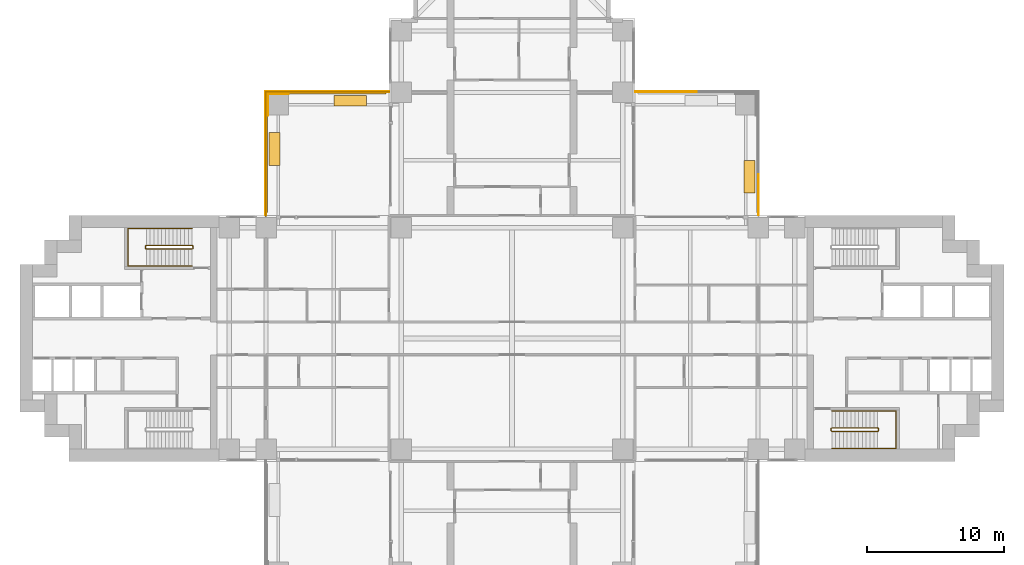
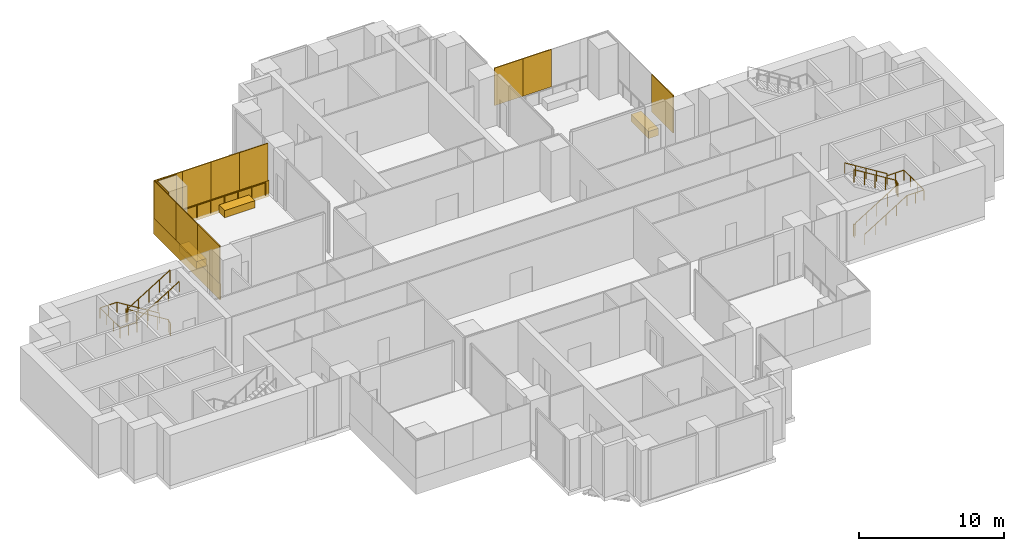
# One storey, part 14 of 15: 16 coverings, 5 railings.
"""IFC4 building model written with IfcOpenShell, lengths in metres."""

from ifc_helpers import new_model, si_unit, direction, frame, origin, origin_2d, place, context, subcontext, project, spatial, polyline, rectangle, outline, extrude, material, layer, layer_set, type_object, element, save


model = new_model("IFC4")

# Units and contexts
model_context = context("Model", 3, precision=1e-05, world=origin(), true_north=direction((0.0, 1.0)))
body_context = subcontext(model_context, "Body", "Model", "MODEL_VIEW")
ifc_project = project(units=[si_unit("LENGTHUNIT", "METRE"), si_unit("AREAUNIT", "SQUARE_METRE"), si_unit("VOLUMEUNIT", "CUBIC_METRE"), si_unit("PLANEANGLEUNIT", "RADIAN"), si_unit("MASSUNIT", "GRAM", prefix="KILO")], contexts=[model_context])

# Site, building, storey
site_placement = place(None, origin())
site = spatial("IfcSite", under=ifc_project, at=site_placement, CompositionType="ELEMENT")
building_placement = place(site_placement, origin())
building = spatial("IfcBuilding", under=site, at=building_placement, Name="Perihelion Cross Residences", CompositionType="ELEMENT")
storey_placement = place(building_placement, frame((0.0, 0.0, 32.0)))
storey = spatial("IfcBuildingStorey", under=building, at=storey_placement, Name="L04", CompositionType="ELEMENT", Elevation=32.0)

# Railing
ifc_material_1 = material(Name="Bronze anodised aluminium", Category="aluminium")
railing_type_1 = type_object("IfcRailingType", Name="Balcony guard 1100", PredefinedType="GUARDRAIL", material=ifc_material_1)
railing_1_placement = place(storey_placement, frame((-17.93994140625, 9.25, 0.0)))
element("IfcRailing", 1, at=railing_1_placement, inside=storey, type_object=railing_type_1, Name="Guard GU1 L04 pocket north-west 1", PredefinedType="GUARDRAIL", context=body_context, shape_type="SweptSolid", body=[
    extrude(rectangle(XDim=0.048095703125, YDim=0.048095703125, at=origin_2d()), frame((0.0, 0.0, 1.076171875), z_axis=(0.0, 1.0, 0.0), x_axis=(-1.0, 0.0, 0.0)), (0.0, 0.0, 1.0), 8.68994140625),
    extrude(rectangle(XDim=0.048095703125, YDim=0.048095703125, at=origin_2d()), frame((0.0, 8.68994140625, 1.076171875), z_axis=(1.0, 0.0, 0.0), x_axis=(0.0, 1.0, 0.0)), (0.0, 0.0, 1.0), 8.68994140625),
    extrude(rectangle(XDim=0.0419921875, YDim=0.0419921875, at=origin_2d()), origin(), (0.0, 0.0, 1.0), 1.052001953125),
    extrude(rectangle(XDim=0.0419921875, YDim=0.0419921875, at=origin_2d()), frame((0.0, 1.086181640625, 0.0)), (0.0, 0.0, 1.0), 1.052001953125),
    extrude(rectangle(XDim=0.0419921875, YDim=0.0419921875, at=origin_2d()), frame((0.0, 2.17236328125, 0.0)), (0.0, 0.0, 1.0), 1.052001953125),
    extrude(rectangle(XDim=0.0419921875, YDim=0.0419921875, at=origin_2d()), frame((0.0, 3.2587890625, 0.0)), (0.0, 0.0, 1.0), 1.052001953125),
    extrude(rectangle(XDim=0.0419921875, YDim=0.0419921875, at=origin_2d()), frame((0.0, 4.344970703125, 0.0)), (0.0, 0.0, 1.0), 1.052001953125),
    extrude(rectangle(XDim=0.0419921875, YDim=0.0419921875, at=origin_2d()), frame((0.0, 5.43115234375, 0.0)), (0.0, 0.0, 1.0), 1.052001953125),
    extrude(rectangle(XDim=0.0419921875, YDim=0.0419921875, at=origin_2d()), frame((0.0, 6.517578125, 0.0)), (0.0, 0.0, 1.0), 1.052001953125),
    extrude(rectangle(XDim=0.0419921875, YDim=0.0419921875, at=origin_2d()), frame((0.0, 7.603759765625, 0.0)), (0.0, 0.0, 1.0), 1.052001953125),
    extrude(rectangle(XDim=0.0419921875, YDim=0.0419921875, at=origin_2d()), frame((0.0, 8.68994140625, 0.0)), (0.0, 0.0, 1.0), 1.052001953125),
    extrude(rectangle(XDim=0.0419921875, YDim=0.0419921875, at=origin_2d()), frame((1.086181640625, 8.68994140625, 0.0)), (0.0, 0.0, 1.0), 1.052001953125),
    extrude(rectangle(XDim=0.0419921875, YDim=0.0419921875, at=origin_2d()), frame((2.17236328125, 8.68994140625, 0.0)), (0.0, 0.0, 1.0), 1.052001953125),
    extrude(rectangle(XDim=0.0419921875, YDim=0.0419921875, at=origin_2d()), frame((3.2587890625, 8.68994140625, 0.0)), (0.0, 0.0, 1.0), 1.052001953125),
    extrude(rectangle(XDim=0.0419921875, YDim=0.0419921875, at=origin_2d()), frame((4.344970703125, 8.68994140625, 0.0)), (0.0, 0.0, 1.0), 1.052001953125),
    extrude(rectangle(XDim=0.0419921875, YDim=0.0419921875, at=origin_2d()), frame((5.43115234375, 8.68994140625, 0.0)), (0.0, 0.0, 1.0), 1.052001953125),
    extrude(rectangle(XDim=0.0419921875, YDim=0.0419921875, at=origin_2d()), frame((6.517578125, 8.68994140625, 0.0)), (0.0, 0.0, 1.0), 1.052001953125),
    extrude(rectangle(XDim=0.0419921875, YDim=0.0419921875, at=origin_2d()), frame((7.603759765625, 8.68994140625, 0.0)), (0.0, 0.0, 1.0), 1.052001953125),
    extrude(rectangle(XDim=0.0419921875, YDim=0.0419921875, at=origin_2d()), frame((8.68994140625, 8.68994140625, 0.0)), (0.0, 0.0, 1.0), 1.052001953125),
])

# Coverings
ifc_material_2 = material(Name="Bronze anodised aluminium", Category="aluminium")
ifc_layer_1 = layer(ifc_material_2, 0.0400390625)
ifc_layer_set_1 = layer_set([ifc_layer_1], Name="Bronze column casing 40")
covering_type_1 = type_object("IfcCoveringType", Name="Bronze column casing 40", PredefinedType="CLADDING", material=ifc_layer_set_1)
covering_1_placement = place(storey_placement, frame((-17.8701171875, 17.10009765625, -0.2998046875), z_axis=(0.0, 0.0, 1.0), x_axis=(1.0, 0.0, 0.0)))
element("IfcCovering", 2, at=covering_1_placement, inside=storey, type_object=covering_type_1, Name="Cladding CC1 L04 casing east-west no. 2", PredefinedType="CLADDING", context=body_context, shape_type="SweptSolid", body=[
    extrude(rectangle(XDim=0.0400390625, YDim=1.580078125, at=origin_2d()), origin(), (0.0, 0.0, 1.0), 4.550048828125),
])
covering_2_placement = place(storey_placement, frame((-17.10009765625, 17.8701171875, -0.2998046875), z_axis=(0.0, 0.0, 1.0), x_axis=(1.0, 0.0, 0.0)))
element("IfcCovering", 3, at=covering_2_placement, inside=storey, type_object=covering_type_1, Name="Cladding CC1 L04 casing north-south no. 2", PredefinedType="CLADDING", context=body_context, shape_type="SweptSolid", body=[
    extrude(rectangle(XDim=1.5, YDim=0.0400390625, at=origin_2d()), origin(), (0.0, 0.0, 1.0), 4.550048828125),
])
ifc_material_3 = material(Name="Precast concrete C40/50", Category="concrete")
covering_type_2 = type_object("IfcCoveringType", Name="Planter box 2400", PredefinedType="USERDEFINED", material=ifc_material_3)
for number, where, z_axis, x_axis, name in (
    (4, (17.389892578125, 11.830078125, 0.0), (0.0, 0.0, 1.0), (0.0, -1.0, 0.0), "Planter PT1 L04 pocket north-east 2"),
    (5, (-17.389892578125, 13.85009765625, 0.0), (0.0, 0.0, 1.0), (0.0, 1.0, 0.0), "Planter PT1 L04 pocket north-west 1"),
    (6, (-11.830078125, 17.389892578125, 0.0), (0.0, 0.0, 1.0), (1.0, 0.0, 0.0), "Planter PT1 L04 pocket north-west 2"),
):
    element("IfcCovering", number, at=place(storey_placement, frame(where, z_axis=z_axis, x_axis=x_axis)), inside=storey, type_object=covering_type_2, Name=name, ObjectType="PLANTER", PredefinedType="USERDEFINED", context=body_context, shape_type="SweptSolid", body=[
        extrude(rectangle(XDim=2.39990234375, YDim=0.800048828125, at=origin_2d()), origin(), (0.0, 0.0, 1.0), 0.60009765625),
    ])
ifc_material_4 = material(Name="Bronze anodised aluminium", Category="aluminium")
ifc_layer_2 = layer(ifc_material_4, 0.070068359375)
ifc_layer_set_2 = layer_set([ifc_layer_2], Name="Pocket fascia 1350")
covering_type_3 = type_object("IfcCoveringType", Name="Pocket fascia 1350", PredefinedType="CLADDING", material=ifc_layer_set_2)
covering_3_placement = place(storey_placement, frame((0.0, 0.0, -0.25)))
element("IfcCovering", 7, at=covering_3_placement, inside=storey, type_object=covering_type_3, Name="Fascia BF2 L04 pocket north-west 1", PredefinedType="CLADDING", context=body_context, shape_type="SweptSolid", body=[
    extrude(outline(polyline([(-18.070068359375, 8.929931640625), (-18.0, 8.929931640625), (-18.0, 9.0), (-18.0, 9.0), (-18.0, 18.0), (-9.0, 18.0), (-9.0, 18.0), (-8.929931640625, 18.0), (-8.929931640625, 18.070068359375), (-18.070068359375, 18.070068359375), (-18.070068359375, 8.929931640625)])), origin(), (0.0, 0.0, 1.0), 1.35009765625),
])
ifc_material_5 = material(Name="Bronze perforated aluminium", Category="aluminium")
ifc_layer_3 = layer(ifc_material_5, 0.070068359375)
ifc_layer_set_3 = layer_set([ifc_layer_3], Name="Pocket solar screen, bronze perforated")
covering_type_4 = type_object("IfcCoveringType", Name="Pocket solar screen, bronze perforated", PredefinedType="CLADDING", material=ifc_layer_set_3)
covering_4_placement = place(storey_placement, frame((0.0, 0.0, 1.10009765625)))
element("IfcCovering", 8, at=covering_4_placement, inside=storey, type_object=covering_type_4, Name="Solar screen PS1 L04 pocket north-east no. 1", PredefinedType="CLADDING", context=body_context, shape_type="SweptSolid", body=[
    extrude(outline(polyline([(18.070068359375, 9.0), (18.070068359375, 12.0), (18.0, 12.0), (18.0, 9.0), (18.070068359375, 9.0)])), origin(), (0.0, 0.0, 1.0), 3.14990234375),
])
covering_5_placement = place(storey_placement, frame((0.0, 0.0, 1.10009765625)))
element("IfcCovering", 9, at=covering_5_placement, inside=storey, type_object=covering_type_4, Name="Solar screen PS1 L04 pocket north-east no. 4", PredefinedType="CLADDING", context=body_context, shape_type="SweptSolid", body=[
    extrude(outline(polyline([(11.267578125, 18.0), (11.267578125, 18.070068359375), (9.0, 18.070068359375), (9.0, 18.0), (11.267578125, 18.0)])), origin(), (0.0, 0.0, 1.0), 3.14990234375),
])
covering_6_placement = place(storey_placement, frame((0.0, 0.0, 1.10009765625)))
element("IfcCovering", 10, at=covering_6_placement, inside=storey, type_object=covering_type_4, Name="Solar screen PS1 L04 pocket north-east no. 5", PredefinedType="CLADDING", context=body_context, shape_type="SweptSolid", body=[
    extrude(outline(polyline([(13.534912109375, 18.0), (13.534912109375, 18.070068359375), (11.267578125, 18.070068359375), (11.267578125, 18.0), (13.534912109375, 18.0)])), origin(), (0.0, 0.0, 1.0), 3.14990234375),
])
covering_7_placement = place(storey_placement, frame((0.0, 0.0, 1.10009765625)))
element("IfcCovering", 11, at=covering_7_placement, inside=storey, type_object=covering_type_4, Name="Solar screen PS1 L04 pocket north-west no. 1", PredefinedType="CLADDING", context=body_context, shape_type="SweptSolid", body=[
    extrude(outline(polyline([(-18.0, 9.0), (-18.0, 12.0), (-18.070068359375, 12.0), (-18.070068359375, 9.0), (-18.0, 9.0)])), origin(), (0.0, 0.0, 1.0), 3.14990234375),
])
covering_8_placement = place(storey_placement, frame((0.0, 0.0, 1.10009765625)))
element("IfcCovering", 12, at=covering_8_placement, inside=storey, type_object=covering_type_4, Name="Solar screen PS1 L04 pocket north-west no. 2", PredefinedType="CLADDING", context=body_context, shape_type="SweptSolid", body=[
    extrude(outline(polyline([(-18.0, 12.0), (-18.0, 15.0), (-18.070068359375, 15.0), (-18.070068359375, 12.0), (-18.0, 12.0)])), origin(), (0.0, 0.0, 1.0), 3.14990234375),
])
covering_9_placement = place(storey_placement, frame((0.0, 0.0, 1.10009765625)))
element("IfcCovering", 13, at=covering_9_placement, inside=storey, type_object=covering_type_4, Name="Solar screen PS1 L04 pocket north-west no. 3", PredefinedType="CLADDING", context=body_context, shape_type="SweptSolid", body=[
    extrude(outline(polyline([(-18.0, 15.0), (-18.0, 18.0), (-18.070068359375, 18.0), (-18.070068359375, 15.0), (-18.0, 15.0)])), origin(), (0.0, 0.0, 1.0), 3.14990234375),
])
covering_10_placement = place(storey_placement, frame((0.0, 0.0, 1.10009765625)))
element("IfcCovering", 14, at=covering_10_placement, inside=storey, type_object=covering_type_4, Name="Solar screen PS1 L04 pocket north-west no. 4", PredefinedType="CLADDING", context=body_context, shape_type="SweptSolid", body=[
    extrude(outline(polyline([(-15.802490234375, 18.0), (-15.802490234375, 18.070068359375), (-18.070068359375, 18.070068359375), (-18.070068359375, 18.0), (-15.802490234375, 18.0)])), origin(), (0.0, 0.0, 1.0), 3.14990234375),
])
covering_11_placement = place(storey_placement, frame((0.0, 0.0, 1.10009765625)))
element("IfcCovering", 15, at=covering_11_placement, inside=storey, type_object=covering_type_4, Name="Solar screen PS1 L04 pocket north-west no. 5", PredefinedType="CLADDING", context=body_context, shape_type="SweptSolid", body=[
    extrude(outline(polyline([(-13.534912109375, 18.0), (-13.534912109375, 18.070068359375), (-15.802490234375, 18.070068359375), (-15.802490234375, 18.0), (-13.534912109375, 18.0)])), origin(), (0.0, 0.0, 1.0), 3.14990234375),
])
covering_12_placement = place(storey_placement, frame((0.0, 0.0, 1.10009765625)))
element("IfcCovering", 16, at=covering_12_placement, inside=storey, type_object=covering_type_4, Name="Solar screen PS1 L04 pocket north-west no. 6", PredefinedType="CLADDING", context=body_context, shape_type="SweptSolid", body=[
    extrude(outline(polyline([(-11.267578125, 18.0), (-11.267578125, 18.070068359375), (-13.534912109375, 18.070068359375), (-13.534912109375, 18.0), (-11.267578125, 18.0)])), origin(), (0.0, 0.0, 1.0), 3.14990234375),
])
covering_13_placement = place(storey_placement, frame((0.0, 0.0, 1.10009765625)))
element("IfcCovering", 17, at=covering_13_placement, inside=storey, type_object=covering_type_4, Name="Solar screen PS1 L04 pocket north-west no. 7", PredefinedType="CLADDING", context=body_context, shape_type="SweptSolid", body=[
    extrude(outline(polyline([(-9.0, 18.0), (-9.0, 18.070068359375), (-11.267578125, 18.070068359375), (-11.267578125, 18.0), (-9.0, 18.0)])), origin(), (0.0, 0.0, 1.0), 3.14990234375),
])

# Railings
ifc_material_6 = material(Name="Stainless steel", Category="steel")
railing_type_2 = type_object("IfcRailingType", Name="Stair guard 1100", PredefinedType="GUARDRAIL", material=ifc_material_6)
railing_2_placement = place(storey_placement, frame((23.35009765625, -6.60009765625, 0.0)))
element("IfcRailing", 18, at=railing_2_placement, inside=storey, type_object=railing_type_2, Name="L04 ST-E2 stair guard 1", PredefinedType="GUARDRAIL", context=body_context, shape_type="SweptSolid", body=[
    extrude(rectangle(XDim=0.048095703125, YDim=0.048095703125, at=origin_2d()), frame((0.0, 0.0, 1.076171875), z_axis=(0.0, -1.0, 0.0), x_axis=(1.0, 0.0, 0.0)), (0.0, 0.0, 1.0), 0.14990234375),
    extrude(rectangle(XDim=0.048095703125, YDim=0.048095703125, at=origin_2d()), frame((0.0, -0.14990234375, 1.076171875), z_axis=(0.266417085129, -0.267723051232, 0.925929967433), x_axis=(0.708833529934, 0.705375805398, 0.0)), (0.0, 0.0, 1.0), 0.18701171875),
    extrude(rectangle(XDim=0.048095703125, YDim=0.048095703125, at=origin_2d()), frame((0.0498046875, -0.199951171875, 1.2490234375), z_axis=(0.850623216509, 0.0, 0.525775754039), x_axis=(0.0, 1.0, 0.0)), (0.0, 0.0, 1.0), 3.9501953125),
    extrude(rectangle(XDim=0.048095703125, YDim=0.048095703125, at=origin_2d()), frame((3.409912109375, -0.199951171875, 3.326171875), z_axis=(0.707106781187, 0.707106781187, 0.0), x_axis=(-0.707106781187, 0.707106781187, 0.0)), (0.0, 0.0, 1.0), 0.07080078125),
    extrude(rectangle(XDim=0.048095703125, YDim=0.048095703125, at=origin_2d()), frame((3.4599609375, -0.14990234375, 3.326171875), z_axis=(0.0, 1.0, 0.0), x_axis=(-1.0, 0.0, 0.0)), (0.0, 0.0, 1.0), 0.14990234375),
    extrude(rectangle(XDim=0.048095703125, YDim=0.048095703125, at=origin_2d()), frame((3.4599609375, 0.0, 3.326171875), z_axis=(-0.267629722418, 0.267629722418, 0.925607186314), x_axis=(-0.707106781187, -0.707106781187, 0.0)), (0.0, 0.0, 1.0), 0.18701171875),
    extrude(rectangle(XDim=0.048095703125, YDim=0.048095703125, at=origin_2d()), frame((3.409912109375, 0.050048828125, 3.4990234375), z_axis=(-0.850623216509, 0.0, 0.525775754039), x_axis=(0.0, -1.0, 0.0)), (0.0, 0.0, 1.0), 3.9501953125),
    extrude(rectangle(XDim=0.0419921875, YDim=0.0419921875, at=origin_2d()), origin(), (0.0, 0.0, 1.0), 1.052001953125),
    extrude(rectangle(XDim=0.0419921875, YDim=0.0419921875, at=origin_2d()), frame((0.0, -0.14990234375, 0.0)), (0.0, 0.0, 1.0), 1.052001953125),
    extrude(rectangle(XDim=0.0419921875, YDim=0.0419921875, at=origin_2d()), frame((0.0498046875, -0.199951171875, 0.173095703125)), (0.0, 0.0, 1.0), 1.052001953125),
    extrude(rectangle(XDim=0.0419921875, YDim=0.0419921875, at=origin_2d()), frame((0.889892578125, -0.199951171875, 0.6923828125)), (0.0, 0.0, 1.0), 1.052001953125),
    extrude(rectangle(XDim=0.0419921875, YDim=0.0419921875, at=origin_2d()), frame((1.72998046875, -0.199951171875, 1.21142578125)), (0.0, 0.0, 1.0), 1.052001953125),
    extrude(rectangle(XDim=0.0419921875, YDim=0.0419921875, at=origin_2d()), frame((2.56982421875, -0.199951171875, 1.730712890625)), (0.0, 0.0, 1.0), 1.052001953125),
    extrude(rectangle(XDim=0.0419921875, YDim=0.0419921875, at=origin_2d()), frame((3.409912109375, -0.199951171875, 2.25)), (0.0, 0.0, 1.0), 1.052001953125),
    extrude(rectangle(XDim=0.0419921875, YDim=0.0419921875, at=origin_2d()), frame((3.4599609375, -0.14990234375, 2.25)), (0.0, 0.0, 1.0), 1.052001953125),
    extrude(rectangle(XDim=0.0419921875, YDim=0.0419921875, at=origin_2d()), frame((3.4599609375, 0.0, 2.25)), (0.0, 0.0, 1.0), 1.052001953125),
    extrude(rectangle(XDim=0.0419921875, YDim=0.0419921875, at=origin_2d()), frame((3.409912109375, 0.050048828125, 2.423095703125)), (0.0, 0.0, 1.0), 1.052001953125),
    extrude(rectangle(XDim=0.0419921875, YDim=0.0419921875, at=origin_2d()), frame((2.56982421875, 0.050048828125, 2.9423828125)), (0.0, 0.0, 1.0), 1.052001953125),
    extrude(rectangle(XDim=0.0419921875, YDim=0.0419921875, at=origin_2d()), frame((1.72998046875, 0.050048828125, 3.46142578125)), (0.0, 0.0, 1.0), 1.052001953125),
    extrude(rectangle(XDim=0.0419921875, YDim=0.0419921875, at=origin_2d()), frame((0.889892578125, 0.050048828125, 3.980712890625)), (0.0, 0.0, 1.0), 1.052001953125),
    extrude(rectangle(XDim=0.0419921875, YDim=0.0419921875, at=origin_2d()), frame((0.0498046875, 0.050048828125, 4.5)), (0.0, 0.0, 1.0), 1.052001953125),
])
railing_3_placement = place(storey_placement, frame((-23.35009765625, 6.60009765625, 0.0)))
element("IfcRailing", 19, at=railing_3_placement, inside=storey, type_object=railing_type_2, Name="L04 ST-W1 stair guard 1", PredefinedType="GUARDRAIL", context=body_context, shape_type="SweptSolid", body=[
    extrude(rectangle(XDim=0.048095703125, YDim=0.048095703125, at=origin_2d()), frame((0.0, 0.0, 1.076171875), z_axis=(0.0, 1.0, 0.0), x_axis=(-1.0, 0.0, 0.0)), (0.0, 0.0, 1.0), 0.14990234375),
    extrude(rectangle(XDim=0.048095703125, YDim=0.048095703125, at=origin_2d()), frame((0.0, 0.14990234375, 1.076171875), z_axis=(-0.266417085129, 0.267723051232, 0.925929967433), x_axis=(-0.708833529934, -0.705375805398, 0.0)), (0.0, 0.0, 1.0), 0.18701171875),
    extrude(rectangle(XDim=0.048095703125, YDim=0.048095703125, at=origin_2d()), frame((-0.0498046875, 0.199951171875, 1.2490234375), z_axis=(-0.850623216509, 0.0, 0.525775754039), x_axis=(0.0, -1.0, 0.0)), (0.0, 0.0, 1.0), 3.9501953125),
    extrude(rectangle(XDim=0.048095703125, YDim=0.048095703125, at=origin_2d()), frame((-3.409912109375, 0.199951171875, 3.326171875), z_axis=(-0.707106781187, -0.707106781187, 0.0), x_axis=(0.707106781187, -0.707106781187, 0.0)), (0.0, 0.0, 1.0), 0.07080078125),
    extrude(rectangle(XDim=0.048095703125, YDim=0.048095703125, at=origin_2d()), frame((-3.4599609375, 0.14990234375, 3.326171875), z_axis=(0.0, -1.0, 0.0), x_axis=(1.0, 0.0, 0.0)), (0.0, 0.0, 1.0), 0.14990234375),
    extrude(rectangle(XDim=0.048095703125, YDim=0.048095703125, at=origin_2d()), frame((-3.4599609375, 0.0, 3.326171875), z_axis=(0.267629722418, -0.267629722418, 0.925607186314), x_axis=(0.707106781187, 0.707106781187, 0.0)), (0.0, 0.0, 1.0), 0.18701171875),
    extrude(rectangle(XDim=0.048095703125, YDim=0.048095703125, at=origin_2d()), frame((-3.409912109375, -0.050048828125, 3.4990234375), z_axis=(0.850623216509, 0.0, 0.525775754039), x_axis=(0.0, 1.0, 0.0)), (0.0, 0.0, 1.0), 3.9501953125),
    extrude(rectangle(XDim=0.0419921875, YDim=0.0419921875, at=origin_2d()), origin(), (0.0, 0.0, 1.0), 1.052001953125),
    extrude(rectangle(XDim=0.0419921875, YDim=0.0419921875, at=origin_2d()), frame((0.0, 0.14990234375, 0.0)), (0.0, 0.0, 1.0), 1.052001953125),
    extrude(rectangle(XDim=0.0419921875, YDim=0.0419921875, at=origin_2d()), frame((-0.0498046875, 0.199951171875, 0.173095703125)), (0.0, 0.0, 1.0), 1.052001953125),
    extrude(rectangle(XDim=0.0419921875, YDim=0.0419921875, at=origin_2d()), frame((-0.889892578125, 0.199951171875, 0.6923828125)), (0.0, 0.0, 1.0), 1.052001953125),
    extrude(rectangle(XDim=0.0419921875, YDim=0.0419921875, at=origin_2d()), frame((-1.72998046875, 0.199951171875, 1.21142578125)), (0.0, 0.0, 1.0), 1.052001953125),
    extrude(rectangle(XDim=0.0419921875, YDim=0.0419921875, at=origin_2d()), frame((-2.56982421875, 0.199951171875, 1.730712890625)), (0.0, 0.0, 1.0), 1.052001953125),
    extrude(rectangle(XDim=0.0419921875, YDim=0.0419921875, at=origin_2d()), frame((-3.409912109375, 0.199951171875, 2.25)), (0.0, 0.0, 1.0), 1.052001953125),
    extrude(rectangle(XDim=0.0419921875, YDim=0.0419921875, at=origin_2d()), frame((-3.4599609375, 0.14990234375, 2.25)), (0.0, 0.0, 1.0), 1.052001953125),
    extrude(rectangle(XDim=0.0419921875, YDim=0.0419921875, at=origin_2d()), frame((-3.4599609375, 0.0, 2.25)), (0.0, 0.0, 1.0), 1.052001953125),
    extrude(rectangle(XDim=0.0419921875, YDim=0.0419921875, at=origin_2d()), frame((-3.409912109375, -0.050048828125, 2.423095703125)), (0.0, 0.0, 1.0), 1.052001953125),
    extrude(rectangle(XDim=0.0419921875, YDim=0.0419921875, at=origin_2d()), frame((-2.56982421875, -0.050048828125, 2.9423828125)), (0.0, 0.0, 1.0), 1.052001953125),
    extrude(rectangle(XDim=0.0419921875, YDim=0.0419921875, at=origin_2d()), frame((-1.72998046875, -0.050048828125, 3.46142578125)), (0.0, 0.0, 1.0), 1.052001953125),
    extrude(rectangle(XDim=0.0419921875, YDim=0.0419921875, at=origin_2d()), frame((-0.889892578125, -0.050048828125, 3.980712890625)), (0.0, 0.0, 1.0), 1.052001953125),
    extrude(rectangle(XDim=0.0419921875, YDim=0.0419921875, at=origin_2d()), frame((-0.0498046875, -0.050048828125, 4.5)), (0.0, 0.0, 1.0), 1.052001953125),
])
ifc_material_7 = material(Name="Stainless steel", Category="steel")
railing_type_3 = type_object("IfcRailingType", Name="Stair handrail 900", PredefinedType="HANDRAIL", material=ifc_material_7)
railing_4_placement = place(storey_placement, frame((23.39990234375, -8.050048828125, 0.173095703125)))
element("IfcRailing", 20, at=railing_4_placement, inside=storey, type_object=railing_type_3, Name="L04 ST-E2 stair handrail 1", PredefinedType="HANDRAIL", context=body_context, shape_type="SweptSolid", body=[
    extrude(rectangle(XDim=0.048095703125, YDim=0.048095703125, at=origin_2d()), frame((0.0, 0.0, 0.8759765625), z_axis=(0.850623216509, 0.0, 0.525775754039), x_axis=(0.0, 1.0, 0.0)), (0.0, 0.0, 1.0), 3.9501953125),
    extrude(rectangle(XDim=0.048095703125, YDim=0.048095703125, at=origin_2d()), frame((3.360107421875, 0.0, 2.95263671875), z_axis=(1.0, 0.0, 0.0), x_axis=(0.0, 1.0, 0.0)), (0.0, 0.0, 1.0), 1.340087890625),
    extrude(rectangle(XDim=0.048095703125, YDim=0.048095703125, at=origin_2d()), frame((4.7001953125, 0.0, 2.95263671875), z_axis=(0.0, 1.0, 0.0), x_axis=(-1.0, 0.0, 0.0)), (0.0, 0.0, 1.0), 2.75),
    extrude(rectangle(XDim=0.048095703125, YDim=0.048095703125, at=origin_2d()), frame((4.7001953125, 2.75, 2.95263671875), z_axis=(-1.0, 0.0, 0.0), x_axis=(0.0, -1.0, 0.0)), (0.0, 0.0, 1.0), 1.340087890625),
    extrude(rectangle(XDim=0.048095703125, YDim=0.048095703125, at=origin_2d()), frame((3.360107421875, 2.75, 2.95263671875), z_axis=(0.0, 0.0, 1.0), x_axis=(1.0, 0.0, 0.0)), (0.0, 0.0, 1.0), 0.173095703125),
    extrude(rectangle(XDim=0.048095703125, YDim=0.048095703125, at=origin_2d()), frame((3.360107421875, 2.75, 3.1259765625), z_axis=(-0.850623216509, 0.0, 0.525775754039), x_axis=(0.0, -1.0, 0.0)), (0.0, 0.0, 1.0), 3.9501953125),
    extrude(rectangle(XDim=0.0419921875, YDim=0.0419921875, at=origin_2d()), origin(), (0.0, 0.0, 1.0), 0.851806640625),
    extrude(rectangle(XDim=0.0419921875, YDim=0.0419921875, at=origin_2d()), frame((0.840087890625, 0.0, 0.519287109375)), (0.0, 0.0, 1.0), 0.851806640625),
    extrude(rectangle(XDim=0.0419921875, YDim=0.0419921875, at=origin_2d()), frame((1.68017578125, 0.0, 1.03857421875)), (0.0, 0.0, 1.0), 0.851806640625),
    extrude(rectangle(XDim=0.0419921875, YDim=0.0419921875, at=origin_2d()), frame((2.52001953125, 0.0, 1.5576171875)), (0.0, 0.0, 1.0), 0.851806640625),
    extrude(rectangle(XDim=0.0419921875, YDim=0.0419921875, at=origin_2d()), frame((3.360107421875, 0.0, 2.076904296875)), (0.0, 0.0, 1.0), 0.851806640625),
    extrude(rectangle(XDim=0.0419921875, YDim=0.0419921875, at=origin_2d()), frame((4.0302734375, 0.0, 2.076904296875)), (0.0, 0.0, 1.0), 0.851806640625),
    extrude(rectangle(XDim=0.0419921875, YDim=0.0419921875, at=origin_2d()), frame((4.7001953125, 0.0, 2.076904296875)), (0.0, 0.0, 1.0), 0.851806640625),
    extrude(rectangle(XDim=0.0419921875, YDim=0.0419921875, at=origin_2d()), frame((4.7001953125, 0.916748046875, 2.076904296875)), (0.0, 0.0, 1.0), 0.851806640625),
    extrude(rectangle(XDim=0.0419921875, YDim=0.0419921875, at=origin_2d()), frame((4.7001953125, 1.833251953125, 2.076904296875)), (0.0, 0.0, 1.0), 0.851806640625),
    extrude(rectangle(XDim=0.0419921875, YDim=0.0419921875, at=origin_2d()), frame((4.7001953125, 2.75, 2.076904296875)), (0.0, 0.0, 1.0), 0.851806640625),
    extrude(rectangle(XDim=0.0419921875, YDim=0.0419921875, at=origin_2d()), frame((4.0302734375, 2.75, 2.076904296875)), (0.0, 0.0, 1.0), 0.851806640625),
    extrude(rectangle(XDim=0.0419921875, YDim=0.0419921875, at=origin_2d()), frame((3.360107421875, 2.75, 2.076904296875)), (0.0, 0.0, 1.0), 0.851806640625),
    extrude(rectangle(XDim=0.0419921875, YDim=0.0419921875, at=origin_2d()), frame((3.360107421875, 2.75, 2.25)), (0.0, 0.0, 1.0), 0.851806640625),
    extrude(rectangle(XDim=0.0419921875, YDim=0.0419921875, at=origin_2d()), frame((2.52001953125, 2.75, 2.769287109375)), (0.0, 0.0, 1.0), 0.851806640625),
    extrude(rectangle(XDim=0.0419921875, YDim=0.0419921875, at=origin_2d()), frame((1.68017578125, 2.75, 3.28857421875)), (0.0, 0.0, 1.0), 0.851806640625),
    extrude(rectangle(XDim=0.0419921875, YDim=0.0419921875, at=origin_2d()), frame((0.840087890625, 2.75, 3.8076171875)), (0.0, 0.0, 1.0), 0.851806640625),
    extrude(rectangle(XDim=0.0419921875, YDim=0.0419921875, at=origin_2d()), frame((0.0, 2.75, 4.326904296875)), (0.0, 0.0, 1.0), 0.851806640625),
])
railing_5_placement = place(storey_placement, frame((-23.39990234375, 8.050048828125, 0.173095703125)))
element("IfcRailing", 21, at=railing_5_placement, inside=storey, type_object=railing_type_3, Name="L04 ST-W1 stair handrail 1", PredefinedType="HANDRAIL", context=body_context, shape_type="SweptSolid", body=[
    extrude(rectangle(XDim=0.048095703125, YDim=0.048095703125, at=origin_2d()), frame((0.0, 0.0, 0.8759765625), z_axis=(-0.850623216509, 0.0, 0.525775754039), x_axis=(0.0, -1.0, 0.0)), (0.0, 0.0, 1.0), 3.9501953125),
    extrude(rectangle(XDim=0.048095703125, YDim=0.048095703125, at=origin_2d()), frame((-3.360107421875, 0.0, 2.95263671875), z_axis=(-1.0, 0.0, 0.0), x_axis=(0.0, -1.0, 0.0)), (0.0, 0.0, 1.0), 1.340087890625),
    extrude(rectangle(XDim=0.048095703125, YDim=0.048095703125, at=origin_2d()), frame((-4.7001953125, 0.0, 2.95263671875), z_axis=(0.0, -1.0, 0.0), x_axis=(1.0, 0.0, 0.0)), (0.0, 0.0, 1.0), 2.75),
    extrude(rectangle(XDim=0.048095703125, YDim=0.048095703125, at=origin_2d()), frame((-4.7001953125, -2.75, 2.95263671875), z_axis=(1.0, 0.0, 0.0), x_axis=(0.0, 1.0, 0.0)), (0.0, 0.0, 1.0), 1.340087890625),
    extrude(rectangle(XDim=0.048095703125, YDim=0.048095703125, at=origin_2d()), frame((-3.360107421875, -2.75, 2.95263671875), z_axis=(0.0, 0.0, 1.0), x_axis=(1.0, 0.0, 0.0)), (0.0, 0.0, 1.0), 0.173095703125),
    extrude(rectangle(XDim=0.048095703125, YDim=0.048095703125, at=origin_2d()), frame((-3.360107421875, -2.75, 3.1259765625), z_axis=(0.850623216509, 0.0, 0.525775754039), x_axis=(0.0, 1.0, 0.0)), (0.0, 0.0, 1.0), 3.9501953125),
    extrude(rectangle(XDim=0.0419921875, YDim=0.0419921875, at=origin_2d()), origin(), (0.0, 0.0, 1.0), 0.851806640625),
    extrude(rectangle(XDim=0.0419921875, YDim=0.0419921875, at=origin_2d()), frame((-0.840087890625, 0.0, 0.519287109375)), (0.0, 0.0, 1.0), 0.851806640625),
    extrude(rectangle(XDim=0.0419921875, YDim=0.0419921875, at=origin_2d()), frame((-1.68017578125, 0.0, 1.03857421875)), (0.0, 0.0, 1.0), 0.851806640625),
    extrude(rectangle(XDim=0.0419921875, YDim=0.0419921875, at=origin_2d()), frame((-2.52001953125, 0.0, 1.5576171875)), (0.0, 0.0, 1.0), 0.851806640625),
    extrude(rectangle(XDim=0.0419921875, YDim=0.0419921875, at=origin_2d()), frame((-3.360107421875, 0.0, 2.076904296875)), (0.0, 0.0, 1.0), 0.851806640625),
    extrude(rectangle(XDim=0.0419921875, YDim=0.0419921875, at=origin_2d()), frame((-4.0302734375, 0.0, 2.076904296875)), (0.0, 0.0, 1.0), 0.851806640625),
    extrude(rectangle(XDim=0.0419921875, YDim=0.0419921875, at=origin_2d()), frame((-4.7001953125, 0.0, 2.076904296875)), (0.0, 0.0, 1.0), 0.851806640625),
    extrude(rectangle(XDim=0.0419921875, YDim=0.0419921875, at=origin_2d()), frame((-4.7001953125, -0.916748046875, 2.076904296875)), (0.0, 0.0, 1.0), 0.851806640625),
    extrude(rectangle(XDim=0.0419921875, YDim=0.0419921875, at=origin_2d()), frame((-4.7001953125, -1.833251953125, 2.076904296875)), (0.0, 0.0, 1.0), 0.851806640625),
    extrude(rectangle(XDim=0.0419921875, YDim=0.0419921875, at=origin_2d()), frame((-4.7001953125, -2.75, 2.076904296875)), (0.0, 0.0, 1.0), 0.851806640625),
    extrude(rectangle(XDim=0.0419921875, YDim=0.0419921875, at=origin_2d()), frame((-4.0302734375, -2.75, 2.076904296875)), (0.0, 0.0, 1.0), 0.851806640625),
    extrude(rectangle(XDim=0.0419921875, YDim=0.0419921875, at=origin_2d()), frame((-3.360107421875, -2.75, 2.076904296875)), (0.0, 0.0, 1.0), 0.851806640625),
    extrude(rectangle(XDim=0.0419921875, YDim=0.0419921875, at=origin_2d()), frame((-3.360107421875, -2.75, 2.25)), (0.0, 0.0, 1.0), 0.851806640625),
    extrude(rectangle(XDim=0.0419921875, YDim=0.0419921875, at=origin_2d()), frame((-2.52001953125, -2.75, 2.769287109375)), (0.0, 0.0, 1.0), 0.851806640625),
    extrude(rectangle(XDim=0.0419921875, YDim=0.0419921875, at=origin_2d()), frame((-1.68017578125, -2.75, 3.28857421875)), (0.0, 0.0, 1.0), 0.851806640625),
    extrude(rectangle(XDim=0.0419921875, YDim=0.0419921875, at=origin_2d()), frame((-0.840087890625, -2.75, 3.8076171875)), (0.0, 0.0, 1.0), 0.851806640625),
    extrude(rectangle(XDim=0.0419921875, YDim=0.0419921875, at=origin_2d()), frame((0.0, -2.75, 4.326904296875)), (0.0, 0.0, 1.0), 0.851806640625),
])

save(model, "model.ifc")
